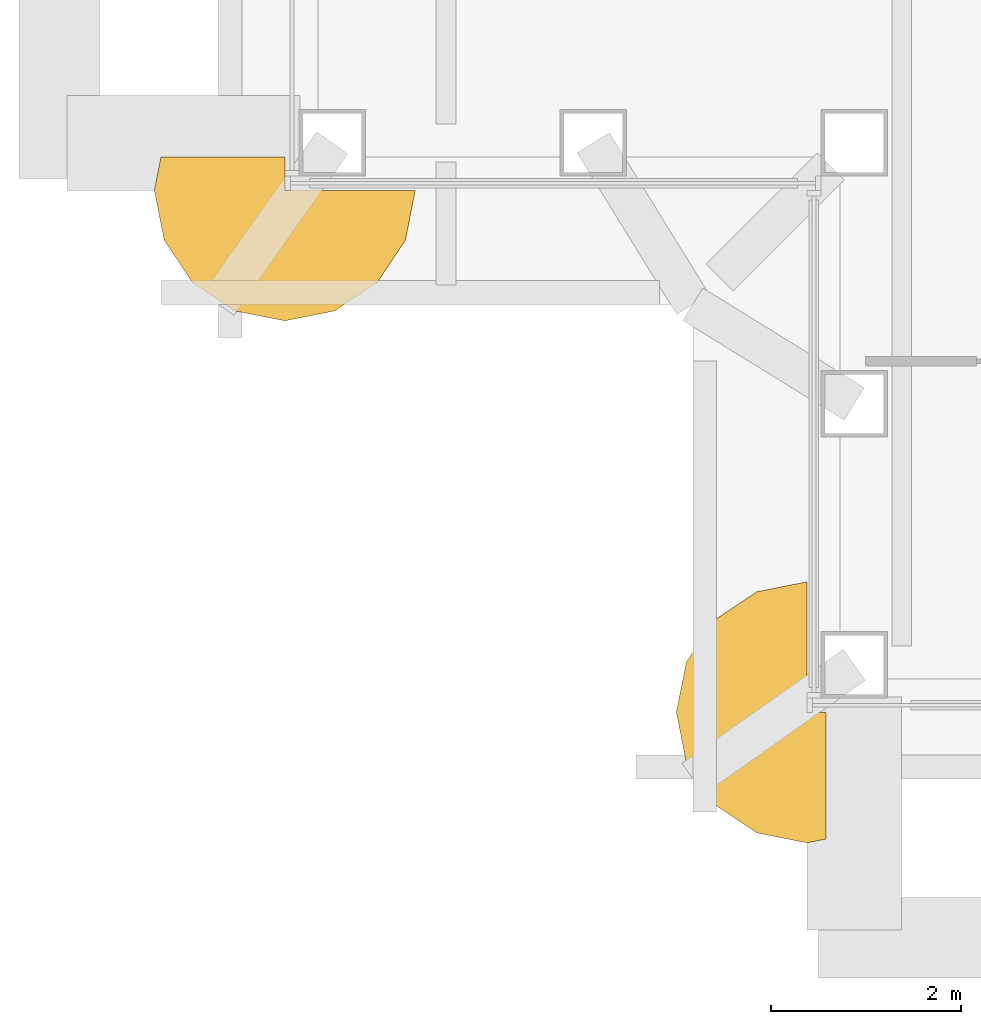
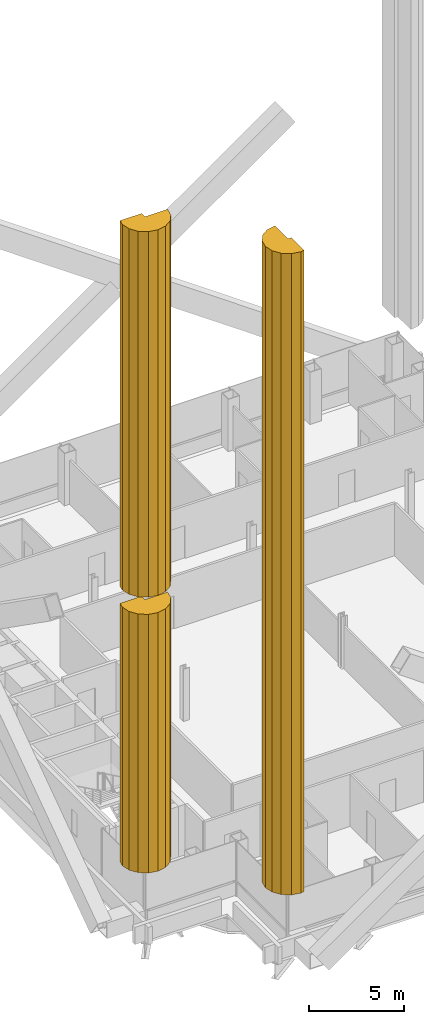
# One storey, part 17 of 22: 3 coverings.
"""IFC4 building model written with IfcOpenShell, lengths in metres."""

from ifc_helpers import new_model, si_unit, direction, frame, origin, place, context, subcontext, project, spatial, polyline, outline, extrude, material, type_object, element, save


model = new_model("IFC4")

# Units and contexts
model_context = context("Model", 3, precision=1e-05, world=origin(), true_north=direction((0.0, 1.0)))
body_context = subcontext(model_context, "Body", "Model", "MODEL_VIEW")
ifc_project = project(units=[si_unit("LENGTHUNIT", "METRE"), si_unit("AREAUNIT", "SQUARE_METRE"), si_unit("VOLUMEUNIT", "CUBIC_METRE"), si_unit("PLANEANGLEUNIT", "RADIAN"), si_unit("MASSUNIT", "GRAM", prefix="KILO")], contexts=[model_context])

# Site, building, storey
site_placement = place(None, origin())
site = spatial("IfcSite", under=ifc_project, at=site_placement, CompositionType="ELEMENT")
building_placement = place(site_placement, origin())
building = spatial("IfcBuilding", under=site, at=building_placement, Name="Cobrizo Arcos Hotel Tower", CompositionType="ELEMENT")
storey_placement = place(building_placement, frame((0.0, 0.0, 191.0)))
storey = spatial("IfcBuildingStorey", under=building, at=storey_placement, Name="L49", CompositionType="ELEMENT", Elevation=191.0)

# Coverings
ifc_material = material(Name="Aluminium 6063-T6 anodised pale", Category="aluminium")
covering_type = type_object("IfcCoveringType", Name="RB-2 notch bullnose roll R1375", PredefinedType="CLADDING", material=ifc_material)
covering_1_placement = place(storey_placement, frame((0.0, 0.0, 4.362548828125)))
element("IfcCovering", 1, at=covering_1_placement, inside=storey, type_object=covering_type, Name="Notch bullnose roll 29", PredefinedType="CLADDING", context=body_context, shape_type="SweptSolid", body=[
    extrude(outline(polyline([(-16.372314453125, -19.927734375), (-16.67041015625, -20.373779296875), (-16.77490234375, -20.89990234375), (-16.67041015625, -21.42626953125), (-16.372314453125, -21.872314453125), (-15.92626953125, -22.17041015625), (-15.39990234375, -22.27490234375), (-15.199951171875, -22.235107421875), (-15.199951171875, -20.89990234375), (-15.39990234375, -20.89990234375), (-15.39990234375, -19.52490234375), (-15.92626953125, -19.629638671875), (-16.372314453125, -19.927734375)])), origin(), (0.0, 0.0, 1.0), 41.137451171875),
])
covering_2_placement = place(storey_placement, frame((0.0, 0.0, 4.362548828125)))
element("IfcCovering", 2, at=covering_2_placement, inside=storey, type_object=covering_type, Name="Notch bullnose roll 32", PredefinedType="CLADDING", context=body_context, shape_type="SweptSolid", body=[
    extrude(outline(polyline([(-19.927734375, -16.372314453125), (-19.629638671875, -15.92626953125), (-19.52490234375, -15.39990234375), (-20.89990234375, -15.39990234375), (-20.89990234375, -15.050048828125), (-22.205322265625, -15.050048828125), (-22.27490234375, -15.39990234375), (-22.17041015625, -15.92626953125), (-21.872314453125, -16.372314453125), (-21.42626953125, -16.67041015625), (-20.89990234375, -16.77490234375), (-20.373779296875, -16.67041015625), (-19.927734375, -16.372314453125)])), origin(), (0.0, 0.0, 1.0), 16.58740234375),
])
covering_3_placement = place(storey_placement, frame((0.0, 0.0, 22.050048828125)))
element("IfcCovering", 3, at=covering_3_placement, inside=storey, type_object=covering_type, Name="Notch bullnose roll 32 part 2", PredefinedType="CLADDING", context=body_context, shape_type="SweptSolid", body=[
    extrude(outline(polyline([(-19.927734375, -16.372314453125), (-19.629638671875, -15.92626953125), (-19.52490234375, -15.39990234375), (-20.89990234375, -15.39990234375), (-20.89990234375, -15.050048828125), (-22.205322265625, -15.050048828125), (-22.27490234375, -15.39990234375), (-22.17041015625, -15.92626953125), (-21.872314453125, -16.372314453125), (-21.42626953125, -16.67041015625), (-20.89990234375, -16.77490234375), (-20.373779296875, -16.67041015625), (-19.927734375, -16.372314453125)])), origin(), (0.0, 0.0, 1.0), 23.449951171875),
])

save(model, "model.ifc")
